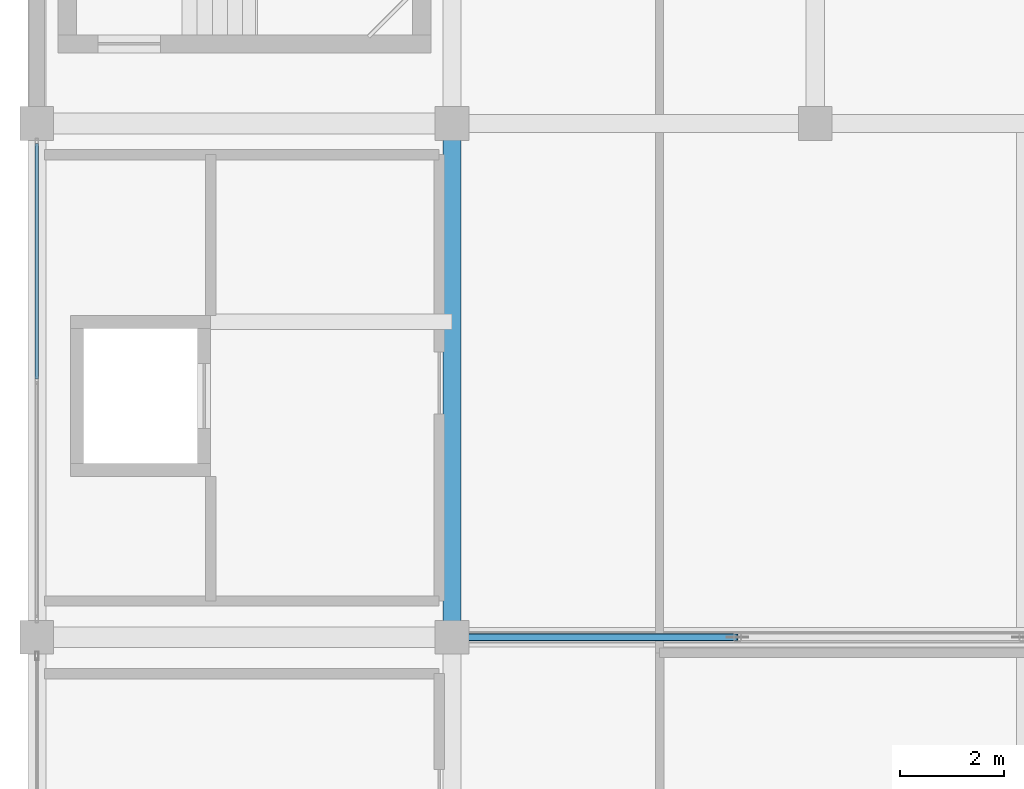
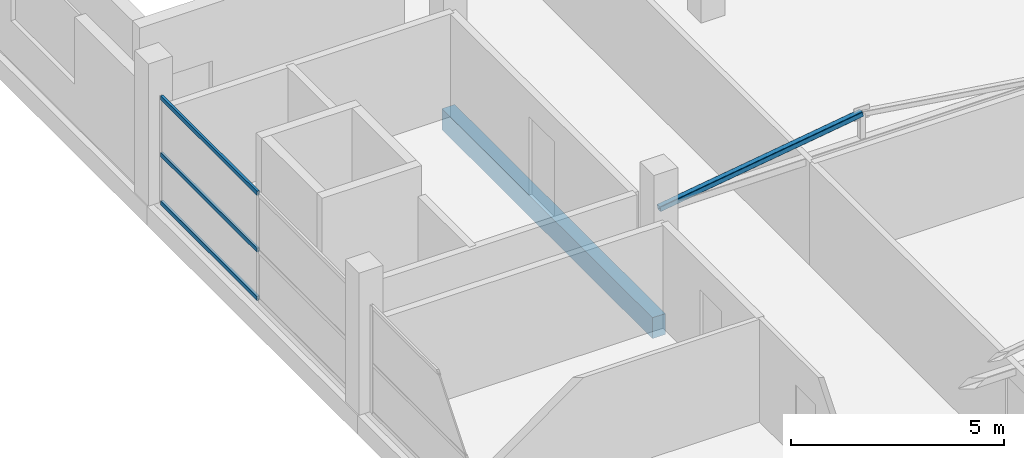
# One storey, part 25 of 53: 4 members, 1 beam, 1 element without a shape of its own.
"""IFC4 building model written with IfcOpenShell, lengths in metres."""

from ifc_helpers import new_model, si_unit, direction, frame, origin, origin_2d, place, context, subcontext, project, spatial, rectangle, hollow_rectangle, extrude, material, layer, layer_set, material_profile, profile_set, type_object, element, aggregate, save


model = new_model("IFC4")

# Units and contexts
model_context = context("Model", 3, precision=1e-05, world=origin(), true_north=direction((0.0, 1.0)))
body_context = subcontext(model_context, "Body", "Model", "MODEL_VIEW")
ifc_project = project(units=[si_unit("LENGTHUNIT", "METRE"), si_unit("AREAUNIT", "SQUARE_METRE"), si_unit("VOLUMEUNIT", "CUBIC_METRE"), si_unit("PLANEANGLEUNIT", "RADIAN"), si_unit("MASSUNIT", "GRAM", prefix="KILO")], contexts=[model_context])

# Site, building, storey
site_placement = place(None, origin())
site = spatial("IfcSite", under=ifc_project, at=site_placement, CompositionType="ELEMENT")
building_placement = place(site_placement, origin())
building = spatial("IfcBuilding", under=site, at=building_placement, Name="Sillaruma Civic Art Gallery", CompositionType="ELEMENT")
storey_placement = place(building_placement, frame((0.0, 0.0, 70.3798828125)))
storey = spatial("IfcBuildingStorey", under=building, at=storey_placement, Name="L14", CompositionType="ELEMENT", Elevation=70.3798828125)

# Beam
ifc_material_1 = material(Name="Concrete H35 (35 MPa)", Category="concrete")
ifc_material_profile_1 = material_profile(ifc_material_1, rectangle(XDim=0.35009765625, YDim=0.60009765625, at=origin_2d()), Name="RCB350x600")
ifc_profile_set_1 = profile_set([ifc_material_profile_1], Name="Concrete H35 (35 MPa)")
beam_type = type_object("IfcBeamType", Name="BM-BEAM-RCB350x600", PredefinedType="BEAM", material=ifc_profile_set_1)
beam_placement = place(storey_placement, frame((70.0, 69.300048828125, -0.5498046875), z_axis=(0.0, 1.0, 0.0), x_axis=(-1.0, 0.0, 0.0)))
element("IfcBeam", 1, at=beam_placement, inside=storey, type_object=beam_type, Name="Beam BM-06 (L13:G:8-9)", PredefinedType="BEAM", context=body_context, shape_type="SweptSolid", body=[
    extrude(rectangle(XDim=0.35009765625, YDim=0.60009765625, at=origin_2d()), origin(), (0.0, 0.0, 1.0), 9.89990234375),
])

# Member
ifc_material_2 = material(Name="Structural Steel ASTM A500 Gr.C", Category="steel")
ifc_material_profile_2 = material_profile(ifc_material_2, hollow_rectangle(XDim=0.14990234375, YDim=0.14990234375, WallThickness=0.010009765625, InnerFilletRadius=0.010009765625, OuterFilletRadius=0.02001953125, at=origin_2d()), Name="HSS150x150x10")
ifc_profile_set_2 = profile_set([ifc_material_profile_2], Name="Structural Steel ASTM A500 Gr.C")
member_type_1 = type_object("IfcMemberType", Name="MEM-BRACE-HSS150x150x10", PredefinedType="BRACE", material=ifc_profile_set_2)
member_1_placement = place(storey_placement, frame((70.0, 69.300048828125, 2.840087890625), z_axis=(0.989377720719, 0.0, 0.145367553959), x_axis=(0.0, 1.0, 0.0)))
element("IfcMember", 2, at=member_1_placement, inside=storey, type_object=member_type_1, Name="Warren Truss Diagonal TR-L14-3-D1", PredefinedType="BRACE", context=body_context, shape_type="SweptSolid", body=[
    extrude(hollow_rectangle(XDim=0.14990234375, YDim=0.14990234375, WallThickness=0.010009765625, InnerFilletRadius=0.010009765625, OuterFilletRadius=0.02001953125, at=origin_2d()), origin(), (0.0, 0.0, 1.0), 5.55908203125),
])

# Curtain wall, members
ifc_material_3 = material(Name="Thermally Broken Extruded Aluminium 6063-T6", Category="aluminium")
ifc_layer = layer(ifc_material_3, 0.139892578125, Name="Thermally Broken Extruded Aluminium 6063-T6")
ifc_layer_set = layer_set([ifc_layer], Name="Thermally Broken Extruded Aluminium 6063-T6")
curtain_wall_type = type_object("IfcCurtainWallType", Name="CW-UNI-105", PredefinedType="NOTDEFINED", material=ifc_layer_set)
curtain_wall_placement = place(storey_placement, origin())
curtain_wall = element("IfcCurtainWall", 3, at=curtain_wall_placement, inside=storey, type_object=curtain_wall_type, Name="Unitised Curtain Wall CW-105 (CW-L14-WBW-6)", PredefinedType="NOTDEFINED")
ifc_material_profile_3 = material_profile(ifc_material_3, hollow_rectangle(XDim=0.06494140625, YDim=0.1201171875, WallThickness=0.00341796875, at=origin_2d()), Name="CWT65x120")
ifc_profile_set_3 = profile_set([ifc_material_profile_3], Name="Thermally Broken Extruded Aluminium 6063-T6")
member_type_2 = type_object("IfcMemberType", Name="MEM-TRN-CWT65x120", PredefinedType="USERDEFINED", material=ifc_profile_set_3)
member_2_placement = place(storey_placement, frame((62.0, 74.280029296875, 0.03271484375), z_axis=(0.0, 1.0, 0.0), x_axis=(-1.0, 0.0, 0.0)))
member_2 = element("IfcMember", 4, at=member_2_placement, type_object=member_type_2, Name="CW-105 transom 2.1", ObjectType="TRANSOM", PredefinedType="USERDEFINED", context=body_context, shape_type="SweptSolid", body=[
    extrude(hollow_rectangle(XDim=0.06494140625, YDim=0.1201171875, WallThickness=0.00341796875, at=origin_2d()), origin(), (0.0, 0.0, 1.0), 4.534912109375),
])
member_3_placement = place(storey_placement, frame((62.0, 74.280029296875, 1.4169921875), z_axis=(0.0, 1.0, 0.0), x_axis=(-1.0, 0.0, 0.0)))
member_3 = element("IfcMember", 5, at=member_3_placement, type_object=member_type_2, Name="CW-105 transom 2.2", ObjectType="TRANSOM", PredefinedType="USERDEFINED", context=body_context, shape_type="SweptSolid", body=[
    extrude(hollow_rectangle(XDim=0.06494140625, YDim=0.1201171875, WallThickness=0.00341796875, at=origin_2d()), origin(), (0.0, 0.0, 1.0), 4.534912109375),
])
member_4_placement = place(storey_placement, frame((62.0, 74.280029296875, 3.047607421875), z_axis=(0.0, 1.0, 0.0), x_axis=(-1.0, 0.0, 0.0)))
member_4 = element("IfcMember", 6, at=member_4_placement, type_object=member_type_2, Name="CW-105 transom 2.3", ObjectType="TRANSOM", PredefinedType="USERDEFINED", context=body_context, shape_type="SweptSolid", body=[
    extrude(hollow_rectangle(XDim=0.06494140625, YDim=0.1201171875, WallThickness=0.00341796875, at=origin_2d()), origin(), (0.0, 0.0, 1.0), 4.534912109375),
])
aggregate(curtain_wall, [member_2, member_3, member_4])

save(model, "model.ifc")
